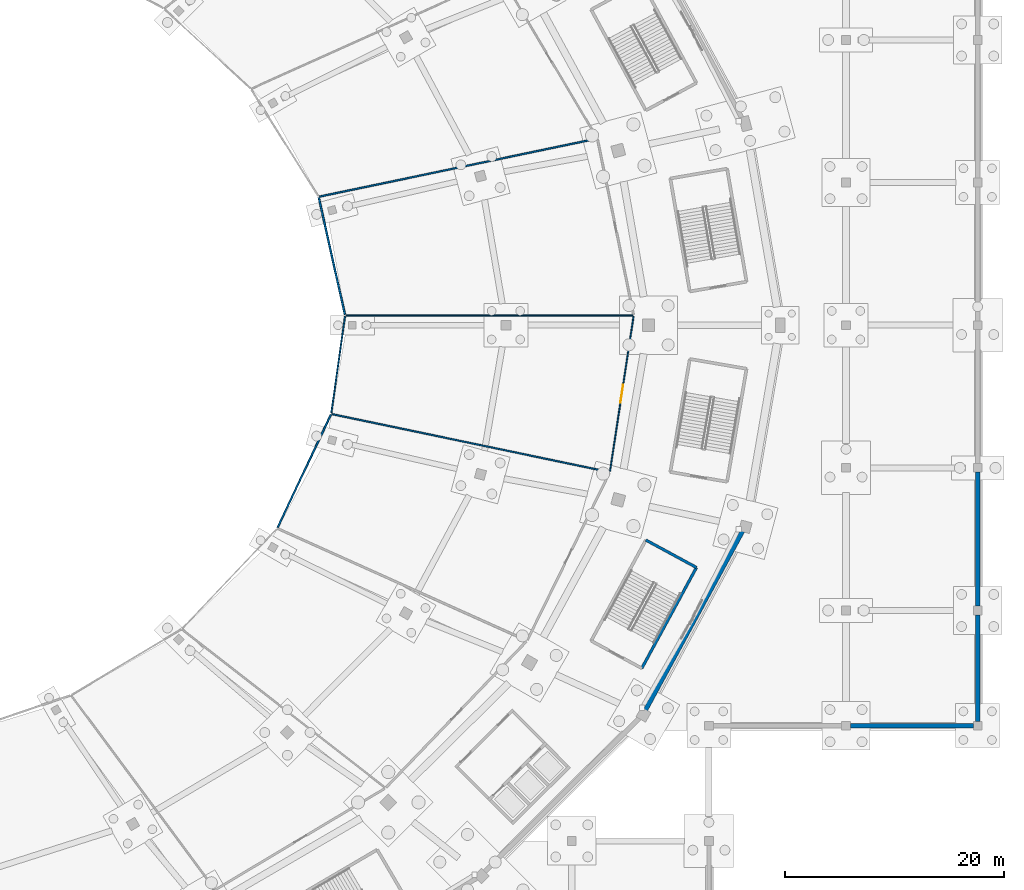
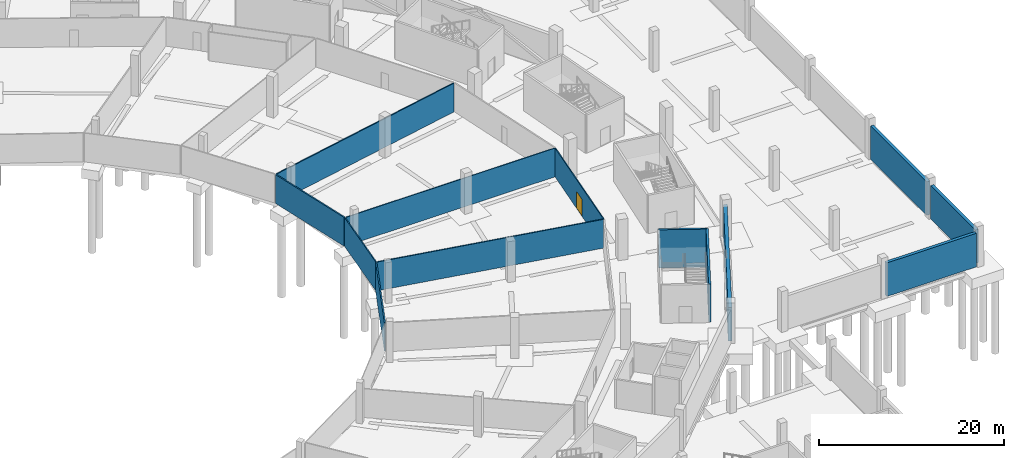
# One storey, part 41 of 74: 13 walls, 1 door, 1 opening.
"""IFC4 building model written with IfcOpenShell, lengths in metres."""

from ifc_helpers import new_model, si_unit, direction, frame, frame_2d, origin, place, context, subcontext, project, spatial, rectangle, extrude, material, layer, layer_set, type_object, element, fill, save


model = new_model("IFC4")

# Units and contexts
model_context = context("Model", 3, precision=1e-05, world=origin(), true_north=direction((0.0, 1.0)))
body_context = subcontext(model_context, "Body", "Model", "MODEL_VIEW")
ifc_project = project(units=[si_unit("LENGTHUNIT", "METRE"), si_unit("AREAUNIT", "SQUARE_METRE"), si_unit("VOLUMEUNIT", "CUBIC_METRE"), si_unit("PLANEANGLEUNIT", "RADIAN"), si_unit("MASSUNIT", "GRAM", prefix="KILO")], contexts=[model_context])

# Site, building, storey
site_placement = place(None, origin())
site = spatial("IfcSite", under=ifc_project, at=site_placement, CompositionType="ELEMENT")
building_placement = place(site_placement, origin())
building = spatial("IfcBuilding", under=site, at=building_placement, Name="Zlatoyarsky Gate Stadium", CompositionType="ELEMENT")
storey_placement = place(building_placement, frame((0.0, 0.0, -5.39990234375)))
storey = spatial("IfcBuildingStorey", under=building, at=storey_placement, Name="B1", CompositionType="ELEMENT", Elevation=-5.39990234375)

# Walls
ifc_material_1 = material(Name="Moisture-resistant masonry partition", Category="masonry")
ifc_layer_1 = layer(ifc_material_1, 0.139892578125)
ifc_layer_set_1 = layer_set([ifc_layer_1], Name="Moisture-resistant masonry partition")
wall_type_1 = type_object("IfcWallType", Name="ATHLETE CHANGING BLOCK PARTITION 140", PredefinedType="PARTITIONING", material=ifc_layer_set_1)
wall_1_placement = place(storey_placement, frame((162.009033203125, 91.72607421875, 0.0), z_axis=(0.0, 0.0, 1.0), x_axis=(0.978856832853, 0.204546573611, 0.0)))
element("IfcWall", 1, at=wall_1_placement, inside=storey, type_object=wall_type_1, Name="B1 interior partition PRT-B1-IRD-01", PredefinedType="PARTITIONING", context=body_context, shape_type="SweptSolid", body=[
    extrude(rectangle(XDim=25.790771484375, YDim=0.139892578125, at=frame_2d((12.8955078125, 0.0))), origin(), (0.0, 0.0, 1.0), 3.7998046875),
])
ifc_material_2 = material(Name="Metal-stud gypsum partition", Category="gypsum")
ifc_layer_2 = layer(ifc_material_2, 0.14990234375)
ifc_layer_set_2 = layer_set([ifc_layer_2], Name="Metal-stud gypsum partition")
wall_type_2 = type_object("IfcWallType", Name="CONCOURSE CORRIDOR PARTITION 150", PredefinedType="PARTITIONING", material=ifc_layer_set_2)
wall_2_placement = place(storey_placement, frame((158.1923828125, 61.56396484375, 0.0), z_axis=(0.0, 0.0, 1.0), x_axis=(0.426771942495, 0.904359280983, 0.0)))
element("IfcWall", 2, at=wall_2_placement, inside=storey, type_object=wall_type_2, Name="B1 interior partition PRT-B1-IRN-22", PredefinedType="PARTITIONING", context=body_context, shape_type="SweptSolid", body=[
    extrude(rectangle(XDim=11.357666015625, YDim=0.14990234375, at=frame_2d((5.6787109375, 0.0))), origin(), (0.0, 0.0, 1.0), 3.7998046875),
])
ifc_material_3 = material(Name="Concrete C35/45", Category="concrete")
ifc_layer_3 = layer(ifc_material_3, 0.419921875)
ifc_layer_set_3 = layer_set([ifc_layer_3], Name="Concrete C35/45")
wall_type_3 = type_object("IfcWallType", Name="CONCRETE BASEMENT RETAINING WALL 420", PredefinedType="SOLIDWALL", material=ifc_layer_set_3)
wall_3_placement = place(storey_placement, frame((191.4970703125, 44.52490234375, 0.0), z_axis=(0.0, 0.0, 1.0), x_axis=(0.476947954388, 0.878931538178, 0.0)))
element("IfcWall", 3, at=wall_3_placement, inside=storey, type_object=wall_type_3, Name="B1 perimeter retaining wall sector 22", PredefinedType="SOLIDWALL", context=body_context, shape_type="SweptSolid", body=[
    extrude(rectangle(XDim=19.468994140625, YDim=0.419921875, at=frame_2d((9.734375, 0.0))), origin(), (0.0, 0.0, 1.0), 4.449951171875),
])
ifc_layer_4 = layer(ifc_material_3, 0.3798828125)
ifc_layer_set_4 = layer_set([ifc_layer_4], Name="Concrete C35/45")
wall_type_4 = type_object("IfcWallType", Name="CONCRETE RAMP RETAINING WALL 380", PredefinedType="SOLIDWALL", material=ifc_layer_set_4)
wall_4_placement = place(storey_placement, frame((222.0, 43.89697265625, 0.0), z_axis=(0.0, 0.0, 1.0), x_axis=(0.0, 1.0, 0.0)))
element("IfcWall", 4, at=wall_4_placement, inside=storey, type_object=wall_type_4, Name="V5_EAST B1 E_LO exterior wall", PredefinedType="SOLIDWALL", context=body_context, shape_type="SweptSolid", body=[
    extrude(rectangle(XDim=9.7060546875, YDim=0.3798828125, at=frame_2d((4.85302734375, 0.0))), origin(), (0.0, 0.0, 1.0), 4.429931640625),
])
wall_5_placement = place(storey_placement, frame((222.0, 54.39697265625, 0.0), z_axis=(0.0, 0.0, 1.0), x_axis=(0.0, 1.0, 0.0)))
element("IfcWall", 5, at=wall_5_placement, inside=storey, type_object=wall_type_4, Name="V5_EAST B1 E_LO exterior wall", PredefinedType="SOLIDWALL", context=body_context, shape_type="SweptSolid", body=[
    extrude(rectangle(XDim=12.2060546875, YDim=0.3798828125, at=frame_2d((6.10302734375, 0.0))), origin(), (0.0, 0.0, 1.0), 4.429931640625),
])
wall_6_placement = place(storey_placement, frame((210.39697265625, 43.5, 0.0), z_axis=(0.0, 0.0, 1.0), x_axis=(1.0, 0.0, 0.0)))
element("IfcWall", 6, at=wall_6_placement, inside=storey, type_object=wall_type_4, Name="V5_EAST B1 S exterior wall", PredefinedType="SOLIDWALL", context=body_context, shape_type="SweptSolid", body=[
    extrude(rectangle(XDim=11.2060546875, YDim=0.3798828125, at=frame_2d((5.60302734375, 0.0))), origin(), (0.0, 0.0, 1.0), 4.429931640625),
])
ifc_material_4 = material(Name="Concrete C40/50", Category="concrete")
ifc_layer_5 = layer(ifc_material_4, 0.25)
ifc_layer_set_5 = layer_set([ifc_layer_5], Name="Concrete C40/50")
wall_type_5 = type_object("IfcWallType", Name="CONCRETE STAIR CORE SHEAR WALL 250", PredefinedType="SHEAR", material=ifc_layer_set_5)
wall_7_placement = place(storey_placement, frame((191.384765625, 48.731201171875, 0.0), z_axis=(0.0, 0.0, 1.0), x_axis=(0.476876856974, 0.878970115125, 0.0)))
element("IfcWall", 7, at=wall_7_placement, inside=storey, type_object=wall_type_5, Name="ST-12 B1 stair core left shear wall", PredefinedType="SHEAR", context=body_context, shape_type="SweptSolid", body=[
    extrude(rectangle(XDim=10.4501953125, YDim=0.25, at=frame_2d((5.22509765625, 0.0))), origin(), (0.0, 0.0, 1.0), 5.0498046875),
])
wall_8_placement = place(storey_placement, frame((196.3681640625, 57.91650390625, 0.0), z_axis=(0.0, 0.0, 1.0), x_axis=(-0.878961487093, 0.47689275965, 0.0)))
element("IfcWall", 8, at=wall_8_placement, inside=storey, type_object=wall_type_5, Name="ST-12 B1 stair core far shear wall", PredefinedType="SHEAR", context=body_context, shape_type="SweptSolid", body=[
    extrude(rectangle(XDim=5.25, YDim=0.25, at=frame_2d((2.625, 0.0))), origin(), (0.0, 0.0, 1.0), 5.0498046875),
])
ifc_material_5 = material(Name="Acoustic metal-stud gypsum partition", Category="gypsum")
ifc_layer_6 = layer(ifc_material_5, 0.159912109375)
ifc_layer_set_6 = layer_set([ifc_layer_6], Name="Acoustic metal-stud gypsum partition")
wall_type_6 = type_object("IfcWallType", Name="HOSPITALITY SUITE PARTITION 160", PredefinedType="PARTITIONING", material=ifc_layer_set_6)
wall_9_placement = place(storey_placement, frame((164.325439453125, 80.969482421875, 0.0), z_axis=(0.0, 0.0, 1.0), x_axis=(-0.218073808538, 0.975932279428, 0.0)))
element("IfcWall", 9, at=wall_9_placement, inside=storey, type_object=wall_type_6, Name="B1 interior partition PRT-B1-IRN-00", PredefinedType="PARTITIONING", context=body_context, shape_type="SweptSolid", body=[
    extrude(rectangle(XDim=10.918701171875, YDim=0.159912109375, at=frame_2d((5.45947265625, 0.0))), origin(), (0.0, 0.0, 1.0), 3.7998046875),
])

# Wall, opening, door
ifc_layer_7 = layer(ifc_material_2, 0.110107421875)
ifc_layer_set_7 = layer_set([ifc_layer_7], Name="Metal-stud gypsum partition")
wall_type_7 = type_object("IfcWallType", Name="KIOSK SERVICE PARTITION 110", PredefinedType="PARTITIONING", material=ifc_layer_set_7)
wall_10_placement = place(storey_placement, frame((188.4873046875, 66.69140625, 0.0), z_axis=(0.0, 0.0, 1.0), x_axis=(0.150347507433, 0.988633211565, 0.0)))
wall_10 = element("IfcWall", 10, at=wall_10_placement, inside=storey, type_object=wall_type_7, Name="B1 interior partition PRT-B1-ICC-23", PredefinedType="PARTITIONING", context=body_context, shape_type="SweptSolid", body=[
    extrude(rectangle(XDim=14.273681640625, YDim=0.110107421875, at=frame_2d((7.13671875, 0.0))), origin(), (0.0, 0.0, 1.0), 3.7998046875),
])
opening_placement = place(wall_10_placement, frame((6.296630859375, 0.0, 0.0)))
opening = element("IfcOpeningElement", 11, at=opening_placement, cuts=wall_10, Name="Opening D-B1-086", PredefinedType="OPENING", context=body_context, shape_type="SweptSolid", body=[
    extrude(rectangle(XDim=1.679931640625, YDim=2.239990234375, at=frame_2d((0.83984375, 1.1201171875))), frame((0.0, 0.06494140625, 0.0), z_axis=(0.0, -1.0, 0.0), x_axis=(1.0, 0.0, 0.0)), (0.0, 0.0, 1.0), 0.130126953125),
])
ifc_material_6 = material(Name="Solid-core oak veneer acoustic door", Category="wood")
door_type = type_object("IfcDoorType", Name="ACOUSTIC INTERIOR DOOR 1680X2240", OperationType="NOTDEFINED", PredefinedType="DOOR", material=ifc_material_6)
door_placement = place(opening_placement, origin())
door = element("IfcDoor", 12, at=door_placement, inside=storey, type_object=door_type, Name="B1 room door D-B1-086", OperationType="SINGLE_SWING_LEFT", OverallHeight=2.239990234375, OverallWidth=1.679931640625, PredefinedType="DOOR", context=body_context, shape_type="SweptSolid", body=[
    extrude(rectangle(XDim=1.679931640625, YDim=2.239990234375, at=frame_2d((0.83984375, 1.1201171875))), frame((0.0, 0.02490234375, 0.0), z_axis=(0.0, -1.0, 0.0), x_axis=(1.0, 0.0, 0.0)), (0.0, 0.0, 1.0), 0.050048828125),
])
fill(opening, door)

# Walls
ifc_layer_8 = layer(ifc_material_2, 0.10009765625)
ifc_layer_set_8 = layer_set([ifc_layer_8], Name="Metal-stud gypsum partition")
wall_type_8 = type_object("IfcWallType", Name="LIGHT STORAGE PARTITION 100", PredefinedType="PARTITIONING", material=ifc_layer_set_8)
wall_11_placement = place(storey_placement, frame((164.428955078125, 80.886474609375, 0.0), z_axis=(0.0, 0.0, 1.0), x_axis=(0.999999999956, 9.342564e-06, 0.0)))
element("IfcWall", 13, at=wall_11_placement, inside=storey, type_object=wall_type_8, Name="B1 interior partition PRT-B1-IRD-00", PredefinedType="PARTITIONING", context=body_context, shape_type="SweptSolid", body=[
    extrude(rectangle(XDim=26.132080078125, YDim=0.10009765625, at=frame_2d((13.06591796875, 0.0))), origin(), (0.0, 0.0, 1.0), 3.7998046875),
])
ifc_layer_9 = layer(ifc_material_2, 0.1201171875)
ifc_layer_set_9 = layer_set([ifc_layer_9], Name="Metal-stud gypsum partition")
wall_type_9 = type_object("IfcWallType", Name="OFFICE AND PRESS PARTITION 120", PredefinedType="PARTITIONING", material=ifc_layer_set_9)
wall_12_placement = place(storey_placement, frame((163.087890625, 71.99658203125, 0.0), z_axis=(0.0, 0.0, 1.0), x_axis=(0.139899208696, 0.990165749461, 0.0)))
element("IfcWall", 14, at=wall_12_placement, inside=storey, type_object=wall_type_9, Name="B1 interior partition PRT-B1-IRN-23", PredefinedType="PARTITIONING", context=body_context, shape_type="SweptSolid", body=[
    extrude(rectangle(XDim=8.89306640625, YDim=0.1201171875, at=frame_2d((4.446533203125, 0.0))), origin(), (0.0, 0.0, 1.0), 3.7998046875),
])
ifc_material_7 = material(Name="Moisture-resistant tile-backed partition", Category="gypsum")
ifc_layer_10 = layer(ifc_material_7, 0.1298828125)
ifc_layer_set_10 = layer_set([ifc_layer_10], Name="Moisture-resistant tile-backed partition")
wall_type_10 = type_object("IfcWallType", Name="SANITARY WET ROOM PARTITION 130", PredefinedType="PARTITIONING", material=ifc_layer_set_10)
wall_13_placement = place(storey_placement, frame((163.1591796875, 71.89501953125, 0.0), z_axis=(0.0, 0.0, 1.0), x_axis=(0.978876753521, -0.20445122014, 0.0)))
element("IfcWall", 15, at=wall_13_placement, inside=storey, type_object=wall_type_10, Name="B1 interior partition PRT-B1-IRD-23", PredefinedType="PARTITIONING", context=body_context, shape_type="SweptSolid", body=[
    extrude(rectangle(XDim=25.7763671875, YDim=0.1298828125, at=frame_2d((12.88818359375, 0.0))), origin(), (0.0, 0.0, 1.0), 3.7998046875),
])

save(model, "model.ifc")
